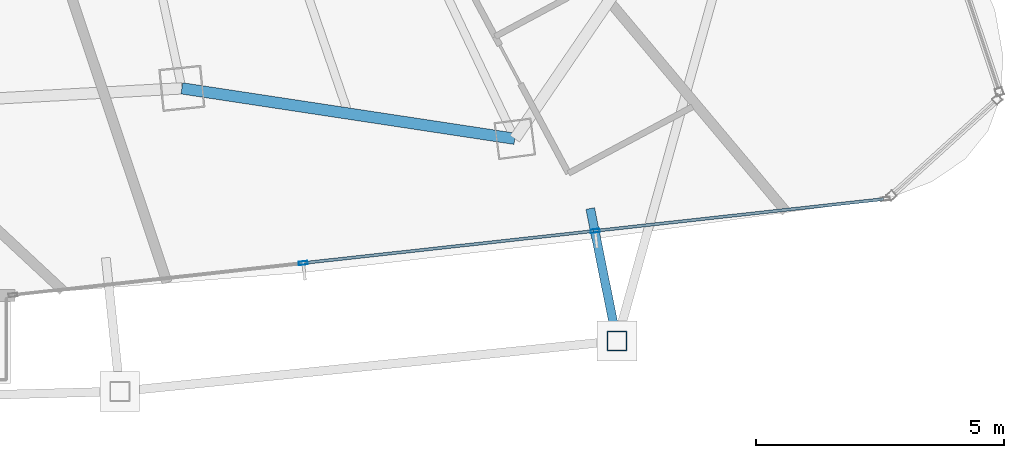
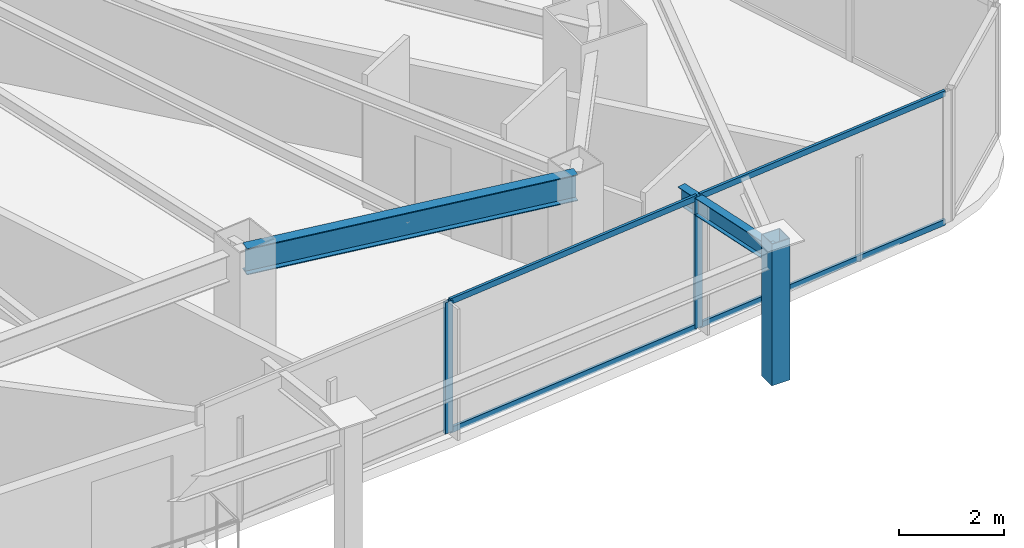
# One storey, part 13 of 31: 7 members, 2 beams, 1 element without a shape of its own.
"""IFC4 building model written with IfcOpenShell, lengths in metres."""

from ifc_helpers import new_model, si_unit, direction, frame, origin, origin_2d, place, context, subcontext, project, spatial, hollow_rectangle, i_section, extrude, material, layer, layer_set, material_profile, profile_set, type_object, element, aggregate, save


model = new_model("IFC4")

# Units and contexts
model_context = context("Model", 3, precision=1e-05, world=origin(), true_north=direction((0.0, 1.0)))
body_context = subcontext(model_context, "Body", "Model", "MODEL_VIEW")
ifc_project = project(units=[si_unit("LENGTHUNIT", "METRE"), si_unit("AREAUNIT", "SQUARE_METRE"), si_unit("VOLUMEUNIT", "CUBIC_METRE"), si_unit("PLANEANGLEUNIT", "RADIAN"), si_unit("MASSUNIT", "GRAM", prefix="KILO")], contexts=[model_context])

# Site, building, storey
site_placement = place(None, origin())
site = spatial("IfcSite", under=ifc_project, at=site_placement, CompositionType="ELEMENT")
building_placement = place(site_placement, origin())
building = spatial("IfcBuilding", under=site, at=building_placement, Name="Orvanel Arch Residences", CompositionType="ELEMENT")
storey_placement = place(building_placement, frame((0.0, 0.0, 133.10009765625)))
storey = spatial("IfcBuildingStorey", under=building, at=storey_placement, Name="L37", CompositionType="ELEMENT", Elevation=133.10009765625)

# Curtain wall, members
ifc_material_1 = material(Name="Bronze-anodised aluminium AA6063-T6", Category="aluminium")
ifc_layer = layer(ifc_material_1, 0.179931640625)
ifc_layer_set = layer_set([ifc_layer], Name="Bronze-anodised aluminium AA6063-T6")
curtain_wall_type = type_object("IfcCurtainWallType", Name="CW3-MID-SYS", PredefinedType="NOTDEFINED", material=ifc_layer_set)
curtain_wall_placement = place(storey_placement, origin())
curtain_wall = element("IfcCurtainWall", 1, at=curtain_wall_placement, inside=storey, type_object=curtain_wall_type, Name="L37 CW3-MID-SYS Unitised Curtain Wall", PredefinedType="NOTDEFINED")
ifc_material_profile_1 = material_profile(ifc_material_1, hollow_rectangle(XDim=0.070068359375, YDim=0.179931640625, WallThickness=0.00439453125, at=origin_2d()), Name="ALU180x70x4.5")
ifc_profile_set_1 = profile_set([ifc_material_profile_1], Name="Bronze-anodised aluminium AA6063-T6")
member_type_1 = type_object("IfcMemberType", Name="MUL-180x70", PredefinedType="MULLION", material=ifc_profile_set_1)
member_1_placement = place(storey_placement, frame((44.79638671875, 3.835693359375, 0.0), z_axis=(0.0, 0.0, 1.0), x_axis=(-0.109627687319, 0.993972721041, 0.0)))
member_1 = element("IfcMember", 2, at=member_1_placement, type_object=member_type_1, Name="CW-S3 mullion 2", PredefinedType="MULLION", context=body_context, shape_type="SweptSolid", body=[
    extrude(hollow_rectangle(XDim=0.070068359375, YDim=0.179931640625, WallThickness=0.00439453125, at=origin_2d()), origin(), (0.0, 0.0, 1.0), 3.059814453125),
])
member_2_placement = place(storey_placement, frame((50.677734375, 4.484375, 0.0), z_axis=(0.0, 0.0, 1.0), x_axis=(-0.109627687319, 0.993972721041, 0.0)))
member_2 = element("IfcMember", 3, at=member_2_placement, type_object=member_type_1, Name="CW-S3 mullion 3", PredefinedType="MULLION", context=body_context, shape_type="SweptSolid", body=[
    extrude(hollow_rectangle(XDim=0.070068359375, YDim=0.179931640625, WallThickness=0.00439453125, at=origin_2d()), origin(), (0.0, 0.0, 1.0), 3.059814453125),
])

# Beams
ifc_material_2 = material(Name="Structural steel AS/NZS 3679.1 Grade 300 (300 MPa)", Category="steel")
ifc_material_profile_2 = material_profile(ifc_material_2, i_section(OverallWidth=0.177978515625, OverallDepth=0.406005859375, WebThickness=0.0078125, FlangeThickness=0.0126953125, at=origin_2d()), Name="410UB59.7")
ifc_profile_set_2 = profile_set([ifc_material_profile_2], Name="Structural steel AS/NZS 3679.1 Grade 300 (300 MPa)")
beam_type_1 = type_object("IfcBeamType", Name="OB-410UB-EXT", PredefinedType="SPANDREL", material=ifc_profile_set_2)
beam_1_placement = place(storey_placement, frame((50.577880859375, 4.93505859375, 2.85693359375), z_axis=(0.198047657535, -0.980192392005, 0.0), x_axis=(0.980192392005, 0.198047657535, 0.0)))
element("IfcBeam", 4, at=beam_1_placement, inside=storey, type_object=beam_type_1, Name="L37 Outer Frame Radial Tie Beam 08", PredefinedType="SPANDREL", context=body_context, shape_type="SweptSolid", body=[
    extrude(i_section(OverallWidth=0.177978515625, OverallDepth=0.406005859375, WebThickness=0.0078125, FlangeThickness=0.0126953125, at=origin_2d()), origin(), (0.0, 0.0, 1.0), 2.721923828125),
])
ifc_material_profile_3 = material_profile(ifc_material_2, i_section(OverallWidth=0.22900390625, OverallDepth=0.612060546875, WebThickness=0.011962890625, FlangeThickness=0.01953125, at=origin_2d()), Name="610UB125")
ifc_profile_set_3 = profile_set([ifc_material_profile_3], Name="Structural steel AS/NZS 3679.1 Grade 300 (300 MPa)")
beam_type_2 = type_object("IfcBeamType", Name="SP-610UB", PredefinedType="SPANDREL", material=ifc_profile_set_3)
beam_2_placement = place(storey_placement, frame((42.35107421875, 7.35498046875, 2.75390625), z_axis=(0.988726323014, -0.149733958002, 0.0), x_axis=(0.149733958002, 0.988726323014, 0.0)))
element("IfcBeam", 5, at=beam_2_placement, inside=storey, type_object=beam_type_2, Name="L37 Perimeter Spandrel Beam 07", PredefinedType="SPANDREL", context=body_context, shape_type="SweptSolid", body=[
    extrude(i_section(OverallWidth=0.22900390625, OverallDepth=0.612060546875, WebThickness=0.011962890625, FlangeThickness=0.01953125, at=origin_2d()), origin(), (0.0, 0.0, 1.0), 6.784423828125),
])

# Member
ifc_material_3 = material(Name="Structural steel AS/NZS 1163 C450L0 (Grade 450)", Category="steel")
ifc_material_profile_4 = material_profile(ifc_material_3, hollow_rectangle(XDim=0.39990234375, YDim=0.39990234375, WallThickness=0.01611328125, at=origin_2d()), Name="SHS400x400x16")
ifc_profile_set_4 = profile_set([ifc_material_profile_4], Name="Structural steel AS/NZS 1163 C450L0 (Grade 450)")
member_type_2 = type_object("IfcMemberType", Name="ST-400SHS-EXT", PredefinedType="STRUT", material=ifc_profile_set_4)
member_3_placement = place(storey_placement, frame((51.116943359375, 2.26708984375, 0.0), z_axis=(0.0, 0.0, 1.0), x_axis=(1.0, 0.0, 0.0)))
element("IfcMember", 6, at=member_3_placement, inside=storey, type_object=member_type_2, Name="L37 Outer Perimeter Frame Post 08", PredefinedType="STRUT", context=body_context, shape_type="SweptSolid", body=[
    extrude(hollow_rectangle(XDim=0.39990234375, YDim=0.39990234375, WallThickness=0.01611328125, at=origin_2d()), origin(), (0.0, 0.0, 1.0), 3.2998046875),
])

ifc_material_profile_5 = material_profile(ifc_material_1, hollow_rectangle(XDim=0.06005859375, YDim=0.135009765625, WallThickness=0.00390625, at=origin_2d()), Name="ALU135x60x4")
ifc_profile_set_5 = profile_set([ifc_material_profile_5], Name="Bronze-anodised aluminium AA6063-T6")
member_type_3 = type_object("IfcMemberType", Name="TRN-135x60", PredefinedType="USERDEFINED", material=ifc_profile_set_5)
member_4_placement = place(storey_placement, frame((44.8310546875, 3.839599609375, 0.02978515625), z_axis=(0.993975049404, 0.109606574446, 0.0), x_axis=(-0.109606574446, 0.993975049404, 0.0)))
member_4 = element("IfcMember", 7, at=member_4_placement, type_object=member_type_3, Name="CW-S3 transom 2.1", ObjectType="TRANSOM", PredefinedType="USERDEFINED", context=body_context, shape_type="SweptSolid", body=[
    extrude(hollow_rectangle(XDim=0.06005859375, YDim=0.135009765625, WallThickness=0.00390625, at=origin_2d()), origin(), (0.0, 0.0, 1.0), 5.846923828125),
])

member_5_placement = place(storey_placement, frame((44.8310546875, 3.839599609375, 3.02978515625), z_axis=(0.993975049404, 0.109606574446, 0.0), x_axis=(-0.109606574446, 0.993975049404, 0.0)))
member_5 = element("IfcMember", 8, at=member_5_placement, type_object=member_type_3, Name="CW-S3 transom 2.2", ObjectType="TRANSOM", PredefinedType="USERDEFINED", context=body_context, shape_type="SweptSolid", body=[
    extrude(hollow_rectangle(XDim=0.06005859375, YDim=0.135009765625, WallThickness=0.00390625, at=origin_2d()), origin(), (0.0, 0.0, 1.0), 5.846923828125),
])

member_6_placement = place(storey_placement, frame((50.71240234375, 4.48828125, 0.02978515625), z_axis=(0.993976612238, 0.109592400851, 0.0), x_axis=(-0.109592400851, 0.993976612238, 0.0)))
member_6 = element("IfcMember", 9, at=member_6_placement, type_object=member_type_3, Name="CW-S3 transom 3.1", ObjectType="TRANSOM", PredefinedType="USERDEFINED", context=body_context, shape_type="SweptSolid", body=[
    extrude(hollow_rectangle(XDim=0.06005859375, YDim=0.135009765625, WallThickness=0.00390625, at=origin_2d()), origin(), (0.0, 0.0, 1.0), 5.81201171875),
])

member_7_placement = place(storey_placement, frame((50.71240234375, 4.48828125, 3.02978515625), z_axis=(0.993976612238, 0.109592400851, 0.0), x_axis=(-0.109592400851, 0.993976612238, 0.0)))
member_7 = element("IfcMember", 10, at=member_7_placement, type_object=member_type_3, Name="CW-S3 transom 3.2", ObjectType="TRANSOM", PredefinedType="USERDEFINED", context=body_context, shape_type="SweptSolid", body=[
    extrude(hollow_rectangle(XDim=0.06005859375, YDim=0.135009765625, WallThickness=0.00390625, at=origin_2d()), origin(), (0.0, 0.0, 1.0), 5.81201171875),
])

aggregate(curtain_wall, [member_1, member_2, member_4, member_5, member_6, member_7])

save(model, "model.ifc")
